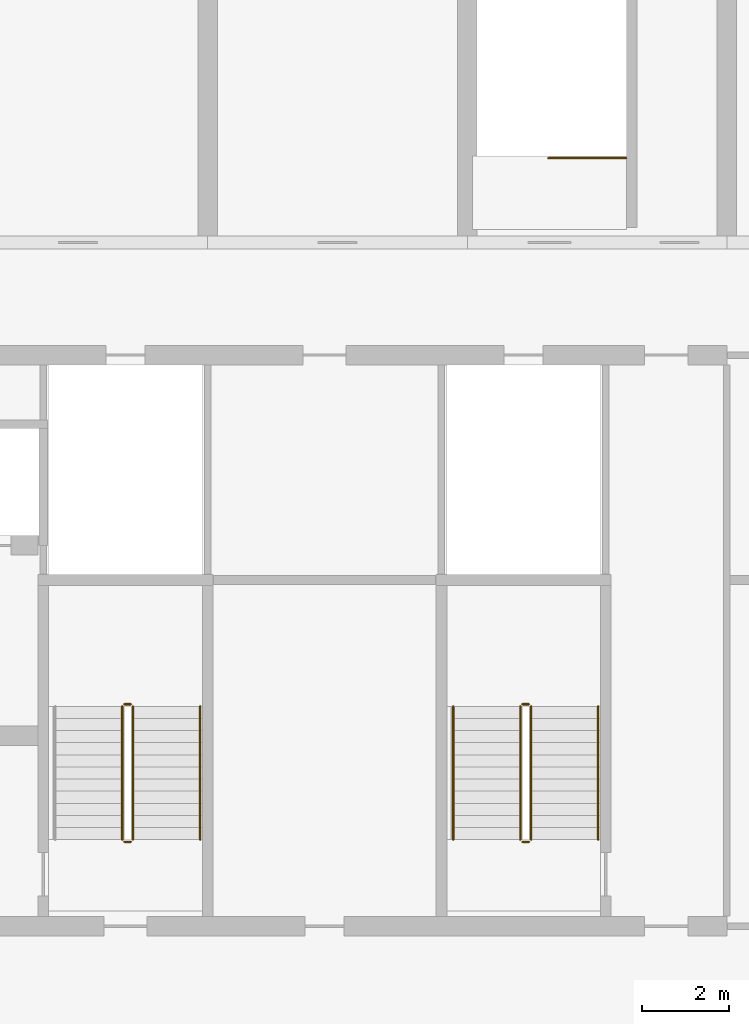
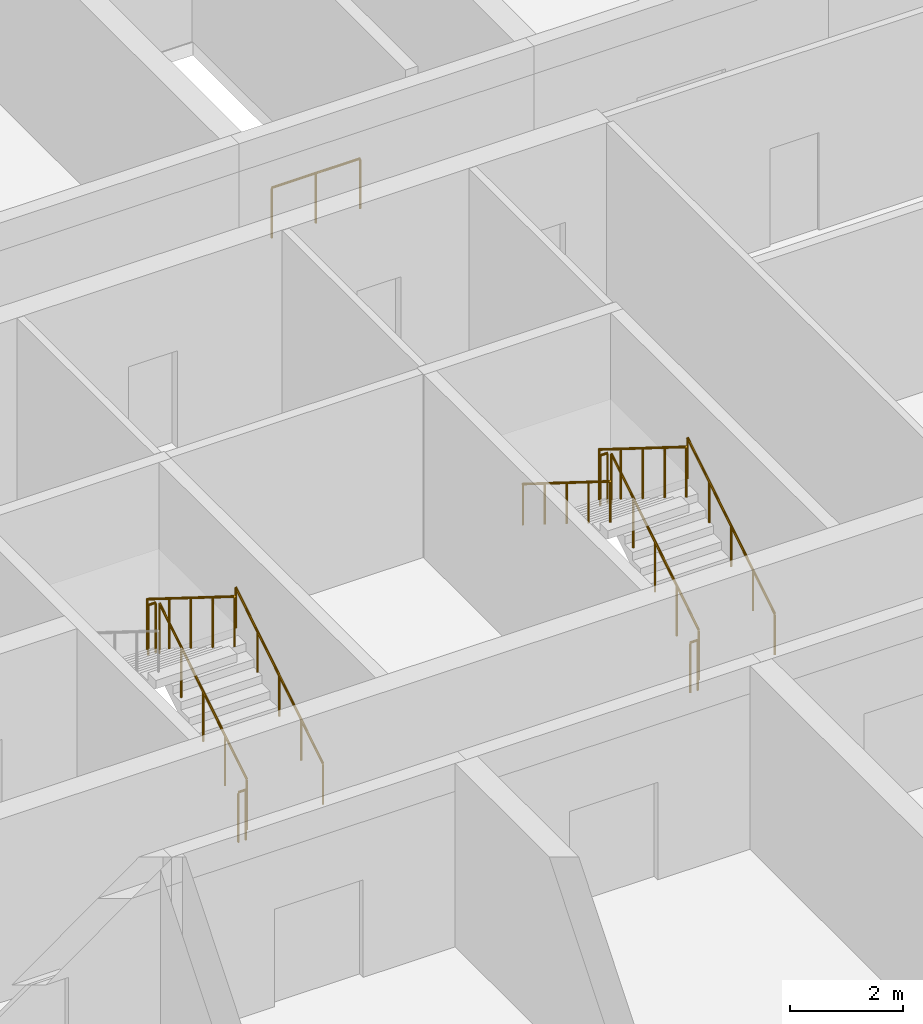
# One storey, part 15 of 15: 12 railings.
"""IFC4 building model written with IfcOpenShell, lengths in metres."""

from ifc_helpers import new_model, si_unit, direction, frame, origin, origin_2d, place, context, subcontext, project, spatial, circle, extrude, material, type_object, element, save


model = new_model("IFC4")

# Units and contexts
model_context = context("Model", 3, precision=1e-05, world=origin(), true_north=direction((0.0, 1.0)))
body_context = subcontext(model_context, "Body", "Model", "MODEL_VIEW")
ifc_project = project(units=[si_unit("LENGTHUNIT", "METRE"), si_unit("AREAUNIT", "SQUARE_METRE"), si_unit("VOLUMEUNIT", "CUBIC_METRE"), si_unit("PLANEANGLEUNIT", "RADIAN"), si_unit("MASSUNIT", "GRAM", prefix="KILO")], contexts=[model_context])

# Site, building, storey
site_placement = place(None, origin())
site = spatial("IfcSite", under=ifc_project, at=site_placement, CompositionType="ELEMENT")
building_placement = place(site_placement, origin())
building = spatial("IfcBuilding", under=site, at=building_placement, Name="Poui Terraces", CompositionType="ELEMENT")
storey_placement = place(building_placement, frame((0.0, 0.0, 19.199951171875)))
storey = spatial("IfcBuildingStorey", under=building, at=storey_placement, Name="L04", CompositionType="ELEMENT", Elevation=19.199951171875)

# Railings
ifc_material_1 = material(Name="Galvanised steel balustrade", Category="steel")
railing_type_1 = type_object("IfcRailingType", Name="STAIR GUARD 1100", PredefinedType="GUARDRAIL", material=ifc_material_1)
railing_1_placement = place(storey_placement, frame((70.27490234375, 16.60009765625, 0.175048828125)))
element("IfcRailing", 1, at=railing_1_placement, inside=storey, type_object=railing_type_1, Name="L04 ST-CE stair guard 1", PredefinedType="GUARDRAIL", context=body_context, shape_type="SweptSolid", body=[
    extrude(circle(Radius=0.02392578125, at=origin_2d()), frame((0.0, 0.0, 1.076171875), z_axis=(0.0, 0.847979421464, 0.530029150871), x_axis=(-1.0, 0.0, 0.0)), (0.0, 0.0, 1.0), 3.632080078125),
    extrude(circle(Radius=0.02099609375, at=origin_2d()), origin(), (0.0, 0.0, 1.0), 1.052001953125),
    extrude(circle(Radius=0.02099609375, at=origin_2d()), frame((0.0, 0.77001953125, 0.481201171875)), (0.0, 0.0, 1.0), 1.052001953125),
    extrude(circle(Radius=0.02099609375, at=origin_2d()), frame((0.0, 1.5400390625, 0.96240234375)), (0.0, 0.0, 1.0), 1.052001953125),
    extrude(circle(Radius=0.02099609375, at=origin_2d()), frame((0.0, 2.309814453125, 1.44384765625)), (0.0, 0.0, 1.0), 1.052001953125),
    extrude(circle(Radius=0.02099609375, at=origin_2d()), frame((0.0, 3.079833984375, 1.925048828125)), (0.0, 0.0, 1.0), 1.052001953125),
])
railing_2_placement = place(storey_placement, frame((70.22509765625, 19.72998046875, 2.10009765625)))
element("IfcRailing", 2, at=railing_2_placement, inside=storey, type_object=railing_type_1, Name="L04 ST-CE stair guard 2", PredefinedType="GUARDRAIL", context=body_context, shape_type="SweptSolid", body=[
    extrude(circle(Radius=0.02392578125, at=origin_2d()), frame((0.0, 0.0, 1.076171875), z_axis=(-1.0, 0.0, 0.0), x_axis=(0.0, -1.0, 0.0)), (0.0, 0.0, 1.0), 0.150146484375),
    extrude(circle(Radius=0.02099609375, at=origin_2d()), origin(), (0.0, 0.0, 1.0), 1.052001953125),
    extrude(circle(Radius=0.02099609375, at=origin_2d()), frame((-0.150146484375, 0.0, 0.0)), (0.0, 0.0, 1.0), 1.052001953125),
])
railing_3_placement = place(storey_placement, frame((70.02490234375, 19.679931640625, 2.275146484375)))
element("IfcRailing", 3, at=railing_3_placement, inside=storey, type_object=railing_type_1, Name="L04 ST-CE stair guard 3", PredefinedType="GUARDRAIL", context=body_context, shape_type="SweptSolid", body=[
    extrude(circle(Radius=0.02392578125, at=origin_2d()), frame((0.0, 0.0, 1.076171875), z_axis=(0.0, -0.848009633417, 0.529980812513), x_axis=(1.0, 0.0, 0.0)), (0.0, 0.0, 1.0), 3.6318359375),
    extrude(circle(Radius=0.02099609375, at=origin_2d()), origin(), (0.0, 0.0, 1.0), 1.052001953125),
    extrude(circle(Radius=0.02099609375, at=origin_2d()), frame((0.0, -0.77001953125, 0.481201171875)), (0.0, 0.0, 1.0), 1.052001953125),
    extrude(circle(Radius=0.02099609375, at=origin_2d()), frame((0.0, -1.5400390625, 0.96240234375)), (0.0, 0.0, 1.0), 1.052001953125),
    extrude(circle(Radius=0.02099609375, at=origin_2d()), frame((0.0, -2.309814453125, 1.443603515625)), (0.0, 0.0, 1.0), 1.052001953125),
    extrude(circle(Radius=0.02099609375, at=origin_2d()), frame((0.0, -3.079833984375, 1.9248046875)), (0.0, 0.0, 1.0), 1.052001953125),
])
railing_4_placement = place(storey_placement, frame((70.22509765625, 16.550048828125, 0.0)))
element("IfcRailing", 4, at=railing_4_placement, inside=storey, type_object=railing_type_1, Name="L04 ST-CE stair guard 4", PredefinedType="GUARDRAIL", context=body_context, shape_type="SweptSolid", body=[
    extrude(circle(Radius=0.02392578125, at=origin_2d()), frame((0.0, 0.0, 1.076171875), z_axis=(-1.0, 0.0, 0.0), x_axis=(0.0, -1.0, 0.0)), (0.0, 0.0, 1.0), 0.150146484375),
    extrude(circle(Radius=0.02099609375, at=origin_2d()), origin(), (0.0, 0.0, 1.0), 1.052001953125),
    extrude(circle(Radius=0.02099609375, at=origin_2d()), frame((-0.150146484375, 0.0, 0.0)), (0.0, 0.0, 1.0), 1.052001953125),
])
railing_5_placement = place(storey_placement, frame((79.47509765625, 16.60009765625, 0.175048828125)))
element("IfcRailing", 5, at=railing_5_placement, inside=storey, type_object=railing_type_1, Name="L04 ST-E stair guard 1", PredefinedType="GUARDRAIL", context=body_context, shape_type="SweptSolid", body=[
    extrude(circle(Radius=0.02392578125, at=origin_2d()), frame((0.0, 0.0, 1.076171875), z_axis=(0.0, 0.847979421464, 0.530029150871), x_axis=(-1.0, 0.0, 0.0)), (0.0, 0.0, 1.0), 3.632080078125),
    extrude(circle(Radius=0.02099609375, at=origin_2d()), origin(), (0.0, 0.0, 1.0), 1.052001953125),
    extrude(circle(Radius=0.02099609375, at=origin_2d()), frame((0.0, 0.77001953125, 0.481201171875)), (0.0, 0.0, 1.0), 1.052001953125),
    extrude(circle(Radius=0.02099609375, at=origin_2d()), frame((0.0, 1.5400390625, 0.96240234375)), (0.0, 0.0, 1.0), 1.052001953125),
    extrude(circle(Radius=0.02099609375, at=origin_2d()), frame((0.0, 2.309814453125, 1.44384765625)), (0.0, 0.0, 1.0), 1.052001953125),
    extrude(circle(Radius=0.02099609375, at=origin_2d()), frame((0.0, 3.079833984375, 1.925048828125)), (0.0, 0.0, 1.0), 1.052001953125),
])
railing_6_placement = place(storey_placement, frame((79.425048828125, 19.72998046875, 2.10009765625)))
element("IfcRailing", 6, at=railing_6_placement, inside=storey, type_object=railing_type_1, Name="L04 ST-E stair guard 2", PredefinedType="GUARDRAIL", context=body_context, shape_type="SweptSolid", body=[
    extrude(circle(Radius=0.02392578125, at=origin_2d()), frame((0.0, 0.0, 1.076171875), z_axis=(-1.0, 0.0, 0.0), x_axis=(0.0, -1.0, 0.0)), (0.0, 0.0, 1.0), 0.150146484375),
    extrude(circle(Radius=0.02099609375, at=origin_2d()), origin(), (0.0, 0.0, 1.0), 1.052001953125),
    extrude(circle(Radius=0.02099609375, at=origin_2d()), frame((-0.150146484375, 0.0, 0.0)), (0.0, 0.0, 1.0), 1.052001953125),
])
railing_7_placement = place(storey_placement, frame((79.22509765625, 19.679931640625, 2.275146484375)))
element("IfcRailing", 7, at=railing_7_placement, inside=storey, type_object=railing_type_1, Name="L04 ST-E stair guard 3", PredefinedType="GUARDRAIL", context=body_context, shape_type="SweptSolid", body=[
    extrude(circle(Radius=0.02392578125, at=origin_2d()), frame((0.0, 0.0, 1.076171875), z_axis=(0.0, -0.848009633417, 0.529980812513), x_axis=(1.0, 0.0, 0.0)), (0.0, 0.0, 1.0), 3.6318359375),
    extrude(circle(Radius=0.02099609375, at=origin_2d()), origin(), (0.0, 0.0, 1.0), 1.052001953125),
    extrude(circle(Radius=0.02099609375, at=origin_2d()), frame((0.0, -0.77001953125, 0.481201171875)), (0.0, 0.0, 1.0), 1.052001953125),
    extrude(circle(Radius=0.02099609375, at=origin_2d()), frame((0.0, -1.5400390625, 0.96240234375)), (0.0, 0.0, 1.0), 1.052001953125),
    extrude(circle(Radius=0.02099609375, at=origin_2d()), frame((0.0, -2.309814453125, 1.443603515625)), (0.0, 0.0, 1.0), 1.052001953125),
    extrude(circle(Radius=0.02099609375, at=origin_2d()), frame((0.0, -3.079833984375, 1.9248046875)), (0.0, 0.0, 1.0), 1.052001953125),
])
railing_8_placement = place(storey_placement, frame((79.425048828125, 16.550048828125, 0.0)))
element("IfcRailing", 8, at=railing_8_placement, inside=storey, type_object=railing_type_1, Name="L04 ST-E stair guard 4", PredefinedType="GUARDRAIL", context=body_context, shape_type="SweptSolid", body=[
    extrude(circle(Radius=0.02392578125, at=origin_2d()), frame((0.0, 0.0, 1.076171875), z_axis=(-1.0, 0.0, 0.0), x_axis=(0.0, -1.0, 0.0)), (0.0, 0.0, 1.0), 0.150146484375),
    extrude(circle(Radius=0.02099609375, at=origin_2d()), origin(), (0.0, 0.0, 1.0), 1.052001953125),
    extrude(circle(Radius=0.02099609375, at=origin_2d()), frame((-0.150146484375, 0.0, 0.0)), (0.0, 0.0, 1.0), 1.052001953125),
])
railing_9_placement = place(storey_placement, frame((81.675048828125, 32.35009765625, 0.0)))
element("IfcRailing", 9, at=railing_9_placement, inside=storey, type_object=railing_type_1, Name="L04 ST-N2 top well guard 1", PredefinedType="GUARDRAIL", context=body_context, shape_type="SweptSolid", body=[
    extrude(circle(Radius=0.02392578125, at=origin_2d()), frame((0.0, 0.0, 1.076171875), z_axis=(-1.0, 0.0, 0.0), x_axis=(0.0, -1.0, 0.0)), (0.0, 0.0, 1.0), 1.800048828125),
    extrude(circle(Radius=0.02099609375, at=origin_2d()), origin(), (0.0, 0.0, 1.0), 1.052001953125),
    extrude(circle(Radius=0.02099609375, at=origin_2d()), frame((-0.89990234375, 0.0, 0.0)), (0.0, 0.0, 1.0), 1.052001953125),
    extrude(circle(Radius=0.02099609375, at=origin_2d()), frame((-1.800048828125, 0.0, 0.0)), (0.0, 0.0, 1.0), 1.052001953125),
])
ifc_material_2 = material(Name="Stainless steel handrail", Category="steel")
railing_type_2 = type_object("IfcRailingType", Name="STAIR HANDRAIL 900", PredefinedType="HANDRAIL", material=ifc_material_2)
for number, where, name in (
    (10, (71.824951171875, 16.60009765625, 0.175048828125), "L04 ST-CE stair handrail 1"),
    (11, (81.02490234375, 16.60009765625, 0.175048828125), "L04 ST-E stair handrail 1"),
):
    element("IfcRailing", number, at=place(storey_placement, frame(where)), inside=storey, type_object=railing_type_2, Name=name, PredefinedType="HANDRAIL", context=body_context, shape_type="SweptSolid", body=[
        extrude(circle(Radius=0.02392578125, at=origin_2d()), frame((0.0, 0.0, 0.8759765625), z_axis=(0.0, 0.847979421464, 0.530029150871), x_axis=(-1.0, 0.0, 0.0)), (0.0, 0.0, 1.0), 3.632080078125),
        extrude(circle(Radius=0.02099609375, at=origin_2d()), origin(), (0.0, 0.0, 1.0), 0.851806640625),
        extrude(circle(Radius=0.02099609375, at=origin_2d()), frame((0.0, 0.77001953125, 0.481201171875)), (0.0, 0.0, 1.0), 0.851806640625),
        extrude(circle(Radius=0.02099609375, at=origin_2d()), frame((0.0, 1.5400390625, 0.96240234375)), (0.0, 0.0, 1.0), 0.851806640625),
        extrude(circle(Radius=0.02099609375, at=origin_2d()), frame((0.0, 2.309814453125, 1.44384765625)), (0.0, 0.0, 1.0), 0.851806640625),
        extrude(circle(Radius=0.02099609375, at=origin_2d()), frame((0.0, 3.079833984375, 1.925048828125)), (0.0, 0.0, 1.0), 0.851806640625),
    ])
railing_10_placement = place(storey_placement, frame((77.675048828125, 19.679931640625, 2.275146484375)))
element("IfcRailing", 12, at=railing_10_placement, inside=storey, type_object=railing_type_2, Name="L04 ST-E stair handrail 2", PredefinedType="HANDRAIL", context=body_context, shape_type="SweptSolid", body=[
    extrude(circle(Radius=0.02392578125, at=origin_2d()), frame((0.0, 0.0, 0.8759765625), z_axis=(0.0, -0.848009633417, 0.529980812513), x_axis=(1.0, 0.0, 0.0)), (0.0, 0.0, 1.0), 3.6318359375),
    extrude(circle(Radius=0.02099609375, at=origin_2d()), origin(), (0.0, 0.0, 1.0), 0.851806640625),
    extrude(circle(Radius=0.02099609375, at=origin_2d()), frame((0.0, -0.77001953125, 0.481201171875)), (0.0, 0.0, 1.0), 0.851806640625),
    extrude(circle(Radius=0.02099609375, at=origin_2d()), frame((0.0, -1.5400390625, 0.96240234375)), (0.0, 0.0, 1.0), 0.851806640625),
    extrude(circle(Radius=0.02099609375, at=origin_2d()), frame((0.0, -2.309814453125, 1.443603515625)), (0.0, 0.0, 1.0), 0.851806640625),
    extrude(circle(Radius=0.02099609375, at=origin_2d()), frame((0.0, -3.079833984375, 1.9248046875)), (0.0, 0.0, 1.0), 0.851806640625),
])

save(model, "model.ifc")
